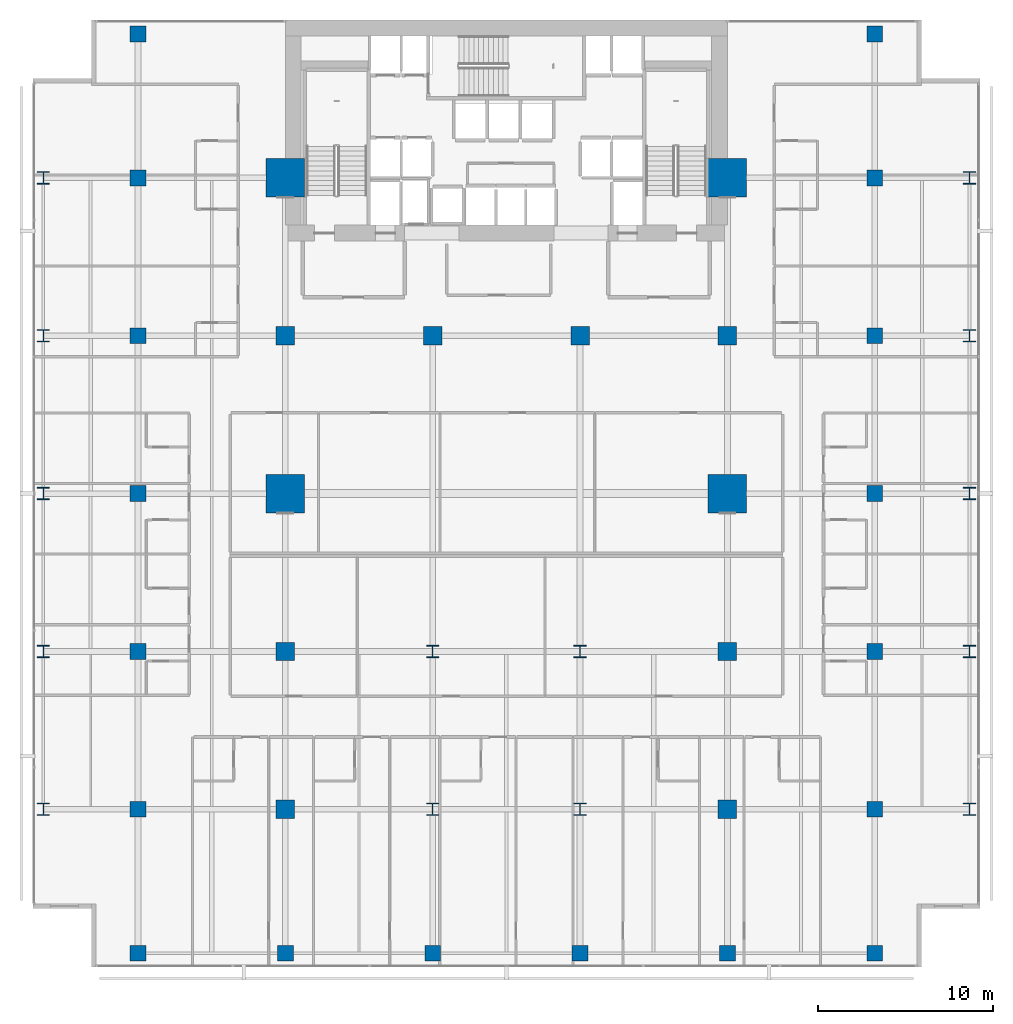
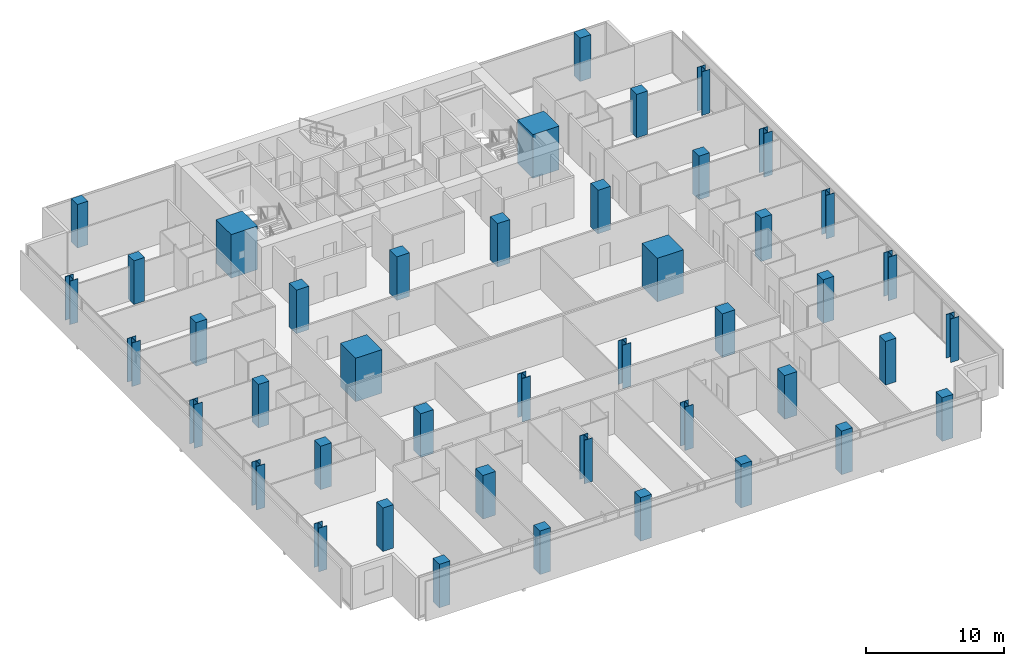
# One storey, part 1 of 40: 44 columns.
"""IFC4 building model written with IfcOpenShell, lengths in metres."""

import ifcopenshell
import ifcopenshell.guid

model = None  # the IFC model being written
_history = None  # IfcOwnerHistory: only IFC2X3 demands one
_inside = {}  # id of a spatial element -> (the spatial element, [elements in it])
_under = {}  # id of a project, library or spatial element -> (it, [spatial elements below it])
_declared = {}  # id of a project -> (the project, [libraries it declares])
_typed = {}  # id of a type object -> (the type object, [elements of that type])
_made_of = {}  # id of a material, layer set ... -> (it, [elements and type objects made of it])


def new_model(schema):
    """Start an empty IFC model of exactly this schema.

    Asked for "IFC4X3", IfcOpenShell would pick the latest addendum, in which some entities
    have other attributes; the version numbers below select the first issue.
    IFC2X3 requires an IfcOwnerHistory on every rooted entity: one is made here for all.
    """
    global model, _history
    if schema == "IFC4X3":
        model = ifcopenshell.file(schema_version=(4, 3, 0, 0))
    else:
        model = ifcopenshell.file(schema=schema)
    _inside.clear()
    _under.clear()
    _declared.clear()
    _typed.clear()
    _made_of.clear()
    _history = None
    if model.schema == "IFC2X3":
        org = make("IfcOrganization", Name="unknown")
        user = make(
            "IfcPersonAndOrganization",
            ThePerson=make("IfcPerson", FamilyName="unknown"),
            TheOrganization=org,
        )
        app = make(
            "IfcApplication",
            ApplicationDeveloper=org,
            Version="unknown",
            ApplicationFullName="unknown",
            ApplicationIdentifier="unknown",
        )
        _history = make(
            "IfcOwnerHistory",
            OwningUser=user,
            OwningApplication=app,
            ChangeAction="ADDED",
            CreationDate=0,
        )
    return model


def make(cls, **values):
    """One entity of the class cls with the attributes given. An attribute that is None is left unset."""
    return model.create_entity(
        cls, **{name: value for name, value in values.items() if value is not None}
    )


def rooted(cls, **values):
    """An entity with a GlobalId (a new one), such as an element, a storey or a relation."""
    return make(cls, GlobalId=ifcopenshell.guid.new(), OwnerHistory=_history, **values)


def si_unit(unit_type, name, prefix=None):
    """IfcSIUnit, for example si_unit("LENGTHUNIT", "METRE", prefix="MILLI")."""
    return make("IfcSIUnit", UnitType=unit_type, Prefix=prefix, Name=name)


def assignment(units):
    """IfcUnitAssignment: the units of a project."""
    return None if units is None else make("IfcUnitAssignment", Units=units)


def point(xyz):
    """IfcCartesianPoint."""
    return None if xyz is None else make("IfcCartesianPoint", Coordinates=xyz)


def direction(xyz):
    """IfcDirection."""
    return None if xyz is None else make("IfcDirection", DirectionRatios=xyz)


def frame(location, z_axis=None, x_axis=None):
    """IfcAxis2Placement3D, a coordinate frame: its origin and axes. An axis left out is left unset."""
    return make(
        "IfcAxis2Placement3D",
        Location=point(location),
        Axis=direction(z_axis),
        RefDirection=direction(x_axis),
    )


def frame_2d(location, x_axis=None):
    """IfcAxis2Placement2D, a coordinate frame in the plane: its origin and x axis."""
    return make(
        "IfcAxis2Placement2D", Location=point(location), RefDirection=direction(x_axis)
    )


def origin():
    """The frame at (0, 0, 0) with its axes left unset."""
    return frame((0.0, 0.0, 0.0))


def origin_2d():
    """The frame at (0, 0) in the plane with its x axis left unset."""
    return frame_2d((0.0, 0.0))


def place(relative_to, where):
    """IfcLocalPlacement: puts the frame where relative to a parent placement (None: the world)."""
    return make(
        "IfcLocalPlacement", PlacementRelTo=relative_to, RelativePlacement=where
    )


def context(
    kind, dimensions, precision=None, world=None, true_north=None, identifier=None
):
    """IfcGeometricRepresentationContext, for example the 3D "Model" context."""
    return make(
        "IfcGeometricRepresentationContext",
        ContextIdentifier=identifier,
        ContextType=kind,
        CoordinateSpaceDimension=dimensions,
        Precision=precision,
        WorldCoordinateSystem=world,
        TrueNorth=true_north,
    )


def subcontext(parent, identifier, kind, view, scale=None):
    """IfcGeometricRepresentationSubContext, for example "Body" below "Model"."""
    return make(
        "IfcGeometricRepresentationSubContext",
        ContextIdentifier=identifier,
        ContextType=kind,
        ParentContext=parent,
        TargetScale=scale,
        TargetView=view,
    )


def project(units=None, contexts=None):
    """IfcProject with its units and contexts."""
    return rooted(
        "IfcProject",
        Name="project",
        RepresentationContexts=contexts,
        UnitsInContext=assignment(units),
    )


def spatial(cls, under=None, at=None, **own):
    """A site, building, storey or space (cls), placed at a placement, below another one or the project."""
    s = rooted(cls, ObjectPlacement=at, **own)
    if under is not None:
        _under.setdefault(under.id(), (under, []))[1].append(s)
    return s


def profile(cls, at=None, kind="AREA", **sizes):
    """A parametric profile (cls). Its sizes go by their IFC names, for example OverallWidth=200.0."""
    return make(cls, ProfileType=kind, Position=at, **sizes)


def rectangle(**sizes):
    """IfcRectangleProfileDef."""
    return profile("IfcRectangleProfileDef", **sizes)


def i_section(**sizes):
    """IfcIShapeProfileDef."""
    return profile("IfcIShapeProfileDef", **sizes)


def extrude(swept, where, along, depth):
    """IfcExtrudedAreaSolid: the profile swept, set in the frame where, extruded along a direction by depth."""
    return make(
        "IfcExtrudedAreaSolid",
        SweptArea=swept,
        Position=where,
        ExtrudedDirection=direction(along),
        Depth=depth,
    )


def shape(context_of_items, identifier, shape_type, items):
    """IfcShapeRepresentation: the items that make up one representation, for example the "Body"."""
    return make(
        "IfcShapeRepresentation",
        ContextOfItems=context_of_items,
        RepresentationIdentifier=identifier,
        RepresentationType=shape_type,
        Items=items,
    )


def material(Name=None, Category=None):
    """IfcMaterial."""
    return make("IfcMaterial", Name=Name, Category=Category)


def material_profile(
    of_material, cross_section, Name=None, Category=None, Priority=None
):
    """IfcMaterialProfile: a cross section and its material."""
    return make(
        "IfcMaterialProfile",
        Name=Name,
        Material=of_material,
        Profile=cross_section,
        Priority=Priority,
        Category=Category,
    )


def profile_set(profiles, Name=None, composite=None):
    """IfcMaterialProfileSet."""
    return make(
        "IfcMaterialProfileSet",
        Name=Name,
        MaterialProfiles=profiles,
        CompositeProfile=composite,
    )


def made_of(thing, what):
    """Note that an element or type object is made of a material, layer set ...; save() writes the relation."""
    if what is not None:
        _made_of.setdefault(what.id(), (what, []))[1].append(thing)
    return thing


def type_object(cls, material=None, **own):
    """A type object (cls), such as IfcWallType, which elements share."""
    return made_of(rooted(cls, **own), material)


def element(
    cls,
    number,
    at=None,
    inside=None,
    cuts=None,
    type_object=None,
    material=None,
    context=None,
    identifier="Body",
    shape_type=None,
    held_by="IfcProductDefinitionShape",
    body=None,
    shapes=None,
    **own,
):
    """One element of the class cls, such as IfcWall. Its Tag is "e" and its number.

    at: its placement. inside: the storey or other place that contains it. cuts: it is an
    opening in that element (IfcRelVoidsElement). A single representation is given by context,
    identifier, shape_type and body (its items); several are given by shapes. held_by: the class
    of the entity that holds the representations. save() writes the other relations.
    """
    e = rooted(cls, Tag="e%d" % number, ObjectPlacement=at, **own)
    if body is not None:
        shapes = [shape(context, identifier, shape_type, body)]
    if shapes is not None:
        e.Representation = make(held_by, Representations=shapes)
    if inside is not None:
        _inside.setdefault(inside.id(), (inside, []))[1].append(e)
    if cuts is not None:
        rooted(
            "IfcRelVoidsElement", RelatingBuildingElement=cuts, RelatedOpeningElement=e
        )
    if type_object is not None:
        _typed.setdefault(type_object.id(), (type_object, []))[1].append(e)
    return made_of(e, material)


def aggregate(whole, parts):
    """IfcRelAggregates: a whole, such as a stair, and the parts it consists of."""
    return rooted("IfcRelAggregates", RelatingObject=whole, RelatedObjects=parts)


def save(model, path):
    """Write the relations noted so far, then the file.

    IfcRelAggregates (storeys below a building ...), IfcRelContainedInSpatialStructure (elements
    in a storey), IfcRelDefinesByType, IfcRelAssociatesMaterial and IfcRelDeclares: one each for
    every whole, place, type object, material and project.
    """
    for whole, parts in _under.values():
        aggregate(whole, parts)
    for where, things in _inside.values():
        rooted(
            "IfcRelContainedInSpatialStructure",
            RelatedElements=things,
            RelatingStructure=where,
        )
    for kind, things in _typed.values():
        rooted("IfcRelDefinesByType", RelatedObjects=things, RelatingType=kind)
    for what, things in _made_of.values():
        rooted("IfcRelAssociatesMaterial", RelatedObjects=things, RelatingMaterial=what)
    for by, libraries in _declared.values():
        rooted("IfcRelDeclares", RelatingContext=by, RelatedDefinitions=libraries)
    model.write(path)


model = new_model("IFC4")

# Units and contexts
model_context = context("Model", 3, precision=1e-05, world=origin(), true_north=direction((0.0, 1.0)))
body_context = subcontext(model_context, "Body", "Model", "MODEL_VIEW")
ifc_project = project(units=[si_unit("LENGTHUNIT", "METRE"), si_unit("AREAUNIT", "SQUARE_METRE"), si_unit("VOLUMEUNIT", "CUBIC_METRE"), si_unit("PLANEANGLEUNIT", "RADIAN"), si_unit("MASSUNIT", "GRAM", prefix="KILO")], contexts=[model_context])

# Site, building, storey
site_placement = place(None, origin())
site = spatial("IfcSite", under=ifc_project, at=site_placement, CompositionType="ELEMENT")
building_placement = place(site_placement, origin())
building = spatial("IfcBuilding", under=site, at=building_placement, Name="Maruvema Waterfront Hotel and Observation Tower", CompositionType="ELEMENT")
storey_placement = place(building_placement, frame((0.0, 0.0, 77.0)))
storey = spatial("IfcBuildingStorey", under=building, at=storey_placement, Name="L18", CompositionType="ELEMENT", Elevation=77.0)

# Columns
ifc_material_1 = material(Name="Concrete C80/95", Category="concrete")
ifc_material_profile_1 = material_profile(ifc_material_1, rectangle(XDim=2.199951171875, YDim=2.199951171875, at=origin_2d()), Name="MC2200x2200")
ifc_profile_set_1 = profile_set([ifc_material_profile_1], Name="Concrete C80/95")
column_type_1 = type_object("IfcColumnType", Name="Continuous Mega-Column MC2200x2200", PredefinedType="COLUMN", material=ifc_profile_set_1)
for number, where, z_axis, x_axis, name in (
    (1, (25.199951171875, 27.0, 0.0), (0.0, 0.0, 1.0), (1.0, 0.0, 0.0), "L18 Continuous Mega-Column MC-01"),
    (2, (50.39990234375, 27.0, 0.0), (0.0, 0.0, 1.0), (1.0, 0.0, 0.0), "L18 Continuous Mega-Column MC-02"),
    (3, (25.199951171875, 45.0, 0.0), (0.0, 0.0, 1.0), (1.0, 0.0, 0.0), "L18 Continuous Mega-Column MC-03"),
    (4, (50.39990234375, 45.0, 0.0), (0.0, 0.0, 1.0), (1.0, 0.0, 0.0), "L18 Continuous Mega-Column MC-04"),
):
    element("IfcColumn", number, at=place(storey_placement, frame(where, z_axis=z_axis, x_axis=x_axis)), inside=storey, type_object=column_type_1, Name=name, PredefinedType="COLUMN", context=body_context, shape_type="SweptSolid", body=[
        extrude(rectangle(XDim=2.199951171875, YDim=2.199951171875, at=origin_2d()), origin(), (0.0, 0.0, 1.0), 3.85009765625),
    ])
ifc_material_2 = material(Name="Concrete C60/75", Category="concrete")
ifc_material_profile_2 = material_profile(ifc_material_2, rectangle(XDim=1.050048828125, YDim=1.050048828125, at=origin_2d()), Name="RC1050x1050")
ifc_profile_set_2 = profile_set([ifc_material_profile_2], Name="Concrete C60/75")
column_type_2 = type_object("IfcColumnType", Name="Reinforced Concrete Column RC1050x1050", PredefinedType="COLUMN", material=ifc_profile_set_2)
for number, where, z_axis, x_axis, name in (
    (5, (25.199951171875, 36.0, 0.0), (0.0, 0.0, 1.0), (1.0, 0.0, 0.0), "L18 Column C-4E"),
    (6, (33.60009765625, 36.0, 0.0), (0.0, 0.0, 1.0), (1.0, 0.0, 0.0), "L18 Column C-5E"),
    (7, (42.0, 36.0, 0.0), (0.0, 0.0, 1.0), (1.0, 0.0, 0.0), "L18 Column C-6E"),
    (8, (50.39990234375, 36.0, 0.0), (0.0, 0.0, 1.0), (1.0, 0.0, 0.0), "L18 Column C-7E"),
    (9, (25.199951171875, 18.0, 0.0), (0.0, 0.0, 1.0), (1.0, 0.0, 0.0), "L18 Column C-4C"),
    (10, (50.39990234375, 18.0, 0.0), (0.0, 0.0, 1.0), (1.0, 0.0, 0.0), "L18 Column C-7C"),
    (11, (25.199951171875, 9.0, 0.0), (0.0, 0.0, 1.0), (1.0, 0.0, 0.0), "L18 Column C-4B"),
    (12, (50.39990234375, 9.0, 0.0), (0.0, 0.0, 1.0), (1.0, 0.0, 0.0), "L18 Column C-7B"),
):
    element("IfcColumn", number, at=place(storey_placement, frame(where, z_axis=z_axis, x_axis=x_axis)), inside=storey, type_object=column_type_2, Name=name, PredefinedType="COLUMN", context=body_context, shape_type="SweptSolid", body=[
        extrude(rectangle(XDim=1.050048828125, YDim=1.050048828125, at=origin_2d()), origin(), (0.0, 0.0, 1.0), 3.85009765625),
    ])
ifc_material_3 = material(Name="Concrete C60/75", Category="concrete")
ifc_material_profile_3 = material_profile(ifc_material_3, rectangle(XDim=0.89990234375, YDim=0.89990234375, at=origin_2d()), Name="RC900x900")
ifc_profile_set_3 = profile_set([ifc_material_profile_3], Name="Concrete C60/75")
column_type_3 = type_object("IfcColumnType", Name="Reinforced Concrete Column RC900x900", PredefinedType="COLUMN", material=ifc_profile_set_3)
for number, where, z_axis, x_axis, name in (
    (13, (16.800048828125, 9.0, 0.0), (0.0, 0.0, 1.0), (1.0, 0.0, 0.0), "L18 Column C-3Y9"),
    (14, (58.800048828125, 9.0, 0.0), (0.0, 0.0, 1.0), (1.0, 0.0, 0.0), "L18 Column C-8Y9"),
    (15, (16.800048828125, 18.0, 0.0), (0.0, 0.0, 1.0), (1.0, 0.0, 0.0), "L18 Column C-3Y18"),
    (16, (58.800048828125, 18.0, 0.0), (0.0, 0.0, 1.0), (1.0, 0.0, 0.0), "L18 Column C-8Y18"),
    (17, (16.800048828125, 27.0, 0.0), (0.0, 0.0, 1.0), (1.0, 0.0, 0.0), "L18 Column C-3Y27"),
    (18, (58.800048828125, 27.0, 0.0), (0.0, 0.0, 1.0), (1.0, 0.0, 0.0), "L18 Column C-8Y27"),
    (19, (16.800048828125, 36.0, 0.0), (0.0, 0.0, 1.0), (1.0, 0.0, 0.0), "L18 Column C-3Y36"),
    (20, (58.800048828125, 36.0, 0.0), (0.0, 0.0, 1.0), (1.0, 0.0, 0.0), "L18 Column C-8Y36"),
    (21, (16.800048828125, 45.0, 0.0), (0.0, 0.0, 1.0), (1.0, 0.0, 0.0), "L18 Column C-3Y45"),
    (22, (58.800048828125, 45.0, 0.0), (0.0, 0.0, 1.0), (1.0, 0.0, 0.0), "L18 Column C-8Y45"),
    (23, (16.800048828125, 0.800048828125, 0.0), (0.0, 0.0, 1.0), (1.0, 0.0, 0.0), "L18 Column C-3A"),
    (24, (25.199951171875, 0.800048828125, 0.0), (0.0, 0.0, 1.0), (1.0, 0.0, 0.0), "L18 Column C-4A"),
    (25, (33.60009765625, 0.800048828125, 0.0), (0.0, 0.0, 1.0), (1.0, 0.0, 0.0), "L18 Column C-5A"),
    (26, (42.0, 0.800048828125, 0.0), (0.0, 0.0, 1.0), (1.0, 0.0, 0.0), "L18 Column C-6A"),
    (27, (50.39990234375, 0.800048828125, 0.0), (0.0, 0.0, 1.0), (1.0, 0.0, 0.0), "L18 Column C-7A"),
    (28, (58.800048828125, 0.800048828125, 0.0), (0.0, 0.0, 1.0), (1.0, 0.0, 0.0), "L18 Column C-8A"),
    (29, (16.800048828125, 53.199951171875, 0.0), (0.0, 0.0, 1.0), (1.0, 0.0, 0.0), "L18 Column C-3G"),
    (30, (58.800048828125, 53.199951171875, 0.0), (0.0, 0.0, 1.0), (1.0, 0.0, 0.0), "L18 Column C-8G"),
):
    element("IfcColumn", number, at=place(storey_placement, frame(where, z_axis=z_axis, x_axis=x_axis)), inside=storey, type_object=column_type_3, Name=name, PredefinedType="COLUMN", context=body_context, shape_type="SweptSolid", body=[
        extrude(rectangle(XDim=0.89990234375, YDim=0.89990234375, at=origin_2d()), origin(), (0.0, 0.0, 1.0), 3.85009765625),
    ])
ifc_material_4 = material(Name="Steel ABNT NBR 7007 AR 415 (ASTM A572 Grade 50)", Category="steel")
ifc_material_profile_4 = material_profile(ifc_material_4, i_section(OverallWidth=0.699951171875, OverallDepth=0.699951171875, WebThickness=0.028076171875, FlangeThickness=0.0439453125, at=origin_2d()), Name="CVS700x436")
ifc_profile_set_4 = profile_set([ifc_material_profile_4], Name="Steel ABNT NBR 7007 AR 415 (ASTM A572 Grade 50)")
column_type_4 = type_object("IfcColumnType", Name="Structural Steel Column CVS700x436", PredefinedType="COLUMN", material=ifc_profile_set_4)
for number, where, z_axis, x_axis, name in (
    (31, (33.60009765625, 9.0, 0.0), (0.0, 0.0, 1.0), (1.0, 0.0, 0.0), "L18 Column C-5B"),
    (32, (42.0, 9.0, 0.0), (0.0, 0.0, 1.0), (1.0, 0.0, 0.0), "L18 Column C-6B"),
    (33, (33.60009765625, 18.0, 0.0), (0.0, 0.0, 1.0), (1.0, 0.0, 0.0), "L18 Column C-5C"),
    (34, (42.0, 18.0, 0.0), (0.0, 0.0, 1.0), (1.0, 0.0, 0.0), "L18 Column C-6C"),
    (35, (11.39990234375, 9.0, 0.0), (0.0, 0.0, 1.0), (1.0, 0.0, 0.0), "L18 Column C-Z1W9"),
    (36, (64.199951171875, 9.0, 0.0), (0.0, 0.0, 1.0), (1.0, 0.0, 0.0), "L18 Column C-Z1E9"),
    (37, (11.39990234375, 18.0, 0.0), (0.0, 0.0, 1.0), (1.0, 0.0, 0.0), "L18 Column C-Z1W18"),
    (38, (64.199951171875, 18.0, 0.0), (0.0, 0.0, 1.0), (1.0, 0.0, 0.0), "L18 Column C-Z1E18"),
    (39, (11.39990234375, 27.0, 0.0), (0.0, 0.0, 1.0), (1.0, 0.0, 0.0), "L18 Column C-Z1W27"),
    (40, (64.199951171875, 27.0, 0.0), (0.0, 0.0, 1.0), (1.0, 0.0, 0.0), "L18 Column C-Z1E27"),
    (41, (11.39990234375, 36.0, 0.0), (0.0, 0.0, 1.0), (1.0, 0.0, 0.0), "L18 Column C-Z1W36"),
    (42, (64.199951171875, 36.0, 0.0), (0.0, 0.0, 1.0), (1.0, 0.0, 0.0), "L18 Column C-Z1E36"),
    (43, (11.39990234375, 45.0, 0.0), (0.0, 0.0, 1.0), (1.0, 0.0, 0.0), "L18 Column C-Z1W45"),
    (44, (64.199951171875, 45.0, 0.0), (0.0, 0.0, 1.0), (1.0, 0.0, 0.0), "L18 Column C-Z1E45"),
):
    element("IfcColumn", number, at=place(storey_placement, frame(where, z_axis=z_axis, x_axis=x_axis)), inside=storey, type_object=column_type_4, Name=name, PredefinedType="COLUMN", context=body_context, shape_type="SweptSolid", body=[
        extrude(i_section(OverallWidth=0.699951171875, OverallDepth=0.699951171875, WebThickness=0.028076171875, FlangeThickness=0.0439453125, at=origin_2d()), origin(), (0.0, 0.0, 1.0), 3.85009765625),
    ])

save(model, "model.ifc")
